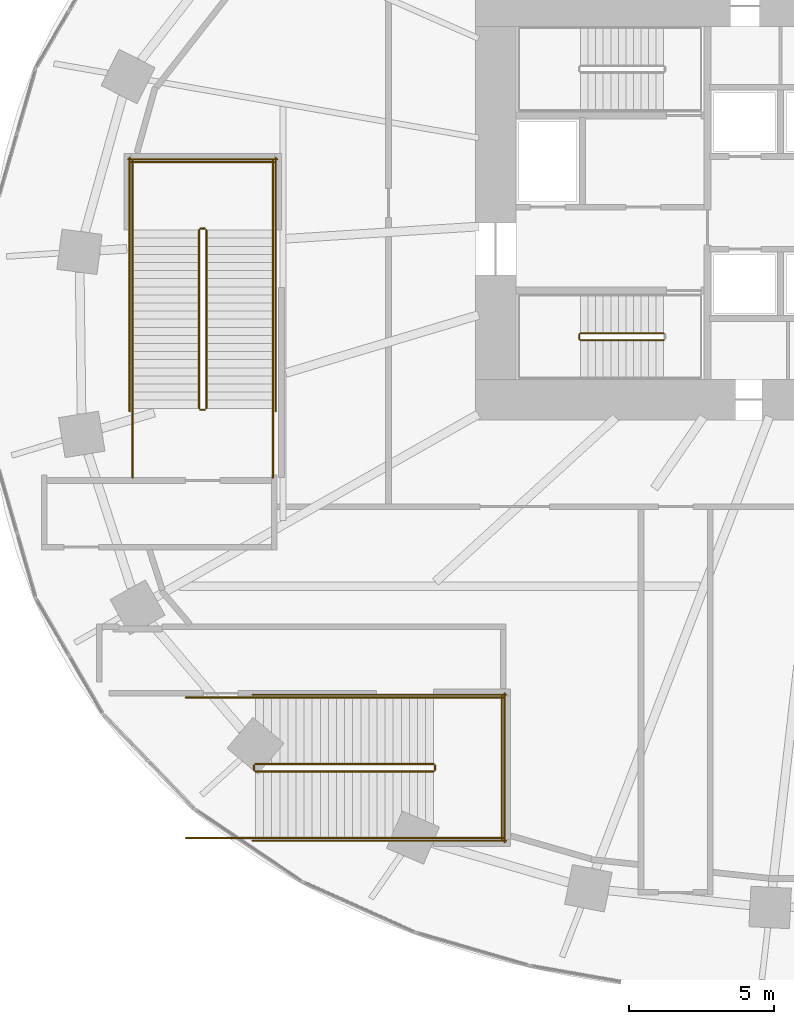
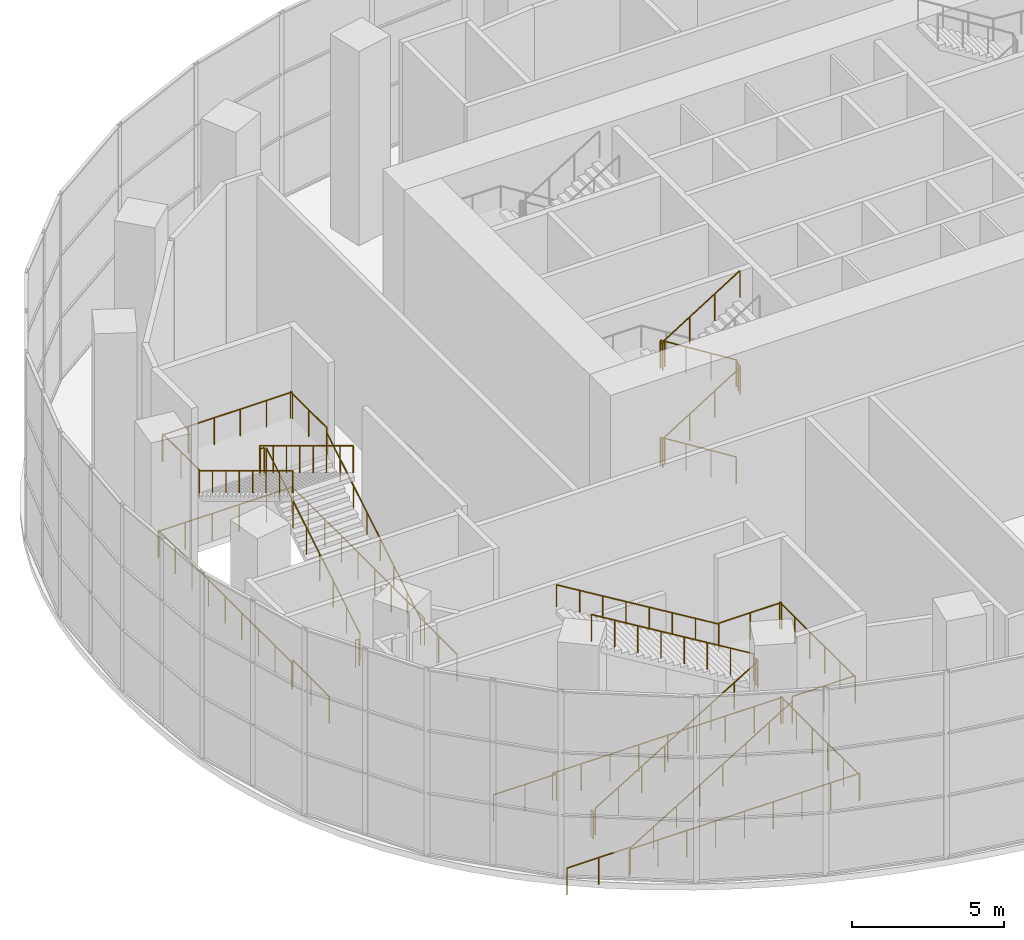
# One storey, part 18 of 22: 29 railings.
"""IFC4 building model written with IfcOpenShell, lengths in metres."""

from ifc_helpers import new_model, si_unit, direction, frame, origin, origin_2d, place, context, subcontext, project, spatial, circle, extrude, material, type_object, element, save


model = new_model("IFC4")

# Units and contexts
model_context = context("Model", 3, precision=1e-05, world=origin(), true_north=direction((0.0, 1.0)))
body_context = subcontext(model_context, "Body", "Model", "MODEL_VIEW")
ifc_project = project(units=[si_unit("LENGTHUNIT", "METRE"), si_unit("AREAUNIT", "SQUARE_METRE"), si_unit("VOLUMEUNIT", "CUBIC_METRE"), si_unit("PLANEANGLEUNIT", "RADIAN"), si_unit("MASSUNIT", "GRAM", prefix="KILO")], contexts=[model_context])

# Site, building, storey
site_placement = place(None, origin())
site = spatial("IfcSite", under=ifc_project, at=site_placement, CompositionType="ELEMENT")
building_placement = place(site_placement, origin())
building = spatial("IfcBuilding", under=site, at=building_placement, Name="Rubra Terraces Tower", CompositionType="ELEMENT")
storey_placement = place(building_placement, frame((0.0, 0.0, 15.0)))
storey = spatial("IfcBuildingStorey", under=building, at=storey_placement, Name="L02", CompositionType="ELEMENT", Elevation=15.0)

# Railings
ifc_material = material(Name="Stainless steel", Category="steel")
railing_type_1 = type_object("IfcRailingType", Name="Core stair guard 1100", PredefinedType="GUARDRAIL", material=ifc_material)
railing_1_placement = place(storey_placement, frame((-6.5, 0.0, 0.16259765625)))
element("IfcRailing", 1, at=railing_1_placement, inside=storey, type_object=railing_type_1, Name="L02 stair S1 guard 1", PredefinedType="GUARDRAIL", context=body_context, shape_type="SweptSolid", body=[
    extrude(circle(Radius=0.02392578125, at=origin_2d()), frame((0.0, 0.0, 1.076171875), z_axis=(-0.848026770018, 0.0, 0.529953391661), x_axis=(0.0, -1.0, 0.0)), (0.0, 0.0, 1.0), 3.37255859375),
    extrude(circle(Radius=0.02392578125, at=origin_2d()), frame((-2.860107421875, 0.0, 2.86328125), z_axis=(-0.705375805398, -0.708833529934, 0.0), x_axis=(0.708833529934, -0.705375805398, 0.0)), (0.0, 0.0, 1.0), 0.070556640625),
    extrude(circle(Radius=0.02392578125, at=origin_2d()), frame((-2.909912109375, -0.050048828125, 2.86328125), z_axis=(0.0, -1.0, 0.0), x_axis=(1.0, 0.0, 0.0)), (0.0, 0.0, 1.0), 0.14990234375),
    extrude(circle(Radius=0.02392578125, at=origin_2d()), frame((-2.909912109375, -0.199951171875, 2.86328125), z_axis=(0.280959487676, -0.282336740067, 0.917250092119), x_axis=(0.708833529934, 0.705375805398, 0.0)), (0.0, 0.0, 1.0), 0.17724609375),
    extrude(circle(Radius=0.02392578125, at=origin_2d()), frame((-2.860107421875, -0.25, 3.02587890625), z_axis=(0.848026770018, 0.0, 0.529953391661), x_axis=(0.0, 1.0, 0.0)), (0.0, 0.0, 1.0), 3.37255859375),
    extrude(circle(Radius=0.02392578125, at=origin_2d()), frame((0.0, -0.25, 4.8134765625), z_axis=(0.707106781187, 0.707106781187, 0.0), x_axis=(-0.707106781187, 0.707106781187, 0.0)), (0.0, 0.0, 1.0), 0.07080078125),
    extrude(circle(Radius=0.02392578125, at=origin_2d()), frame((0.050048828125, -0.199951171875, 4.8134765625), z_axis=(0.0, 1.0, 0.0), x_axis=(-1.0, 0.0, 0.0)), (0.0, 0.0, 1.0), 0.14990234375),
    extrude(circle(Radius=0.02392578125, at=origin_2d()), frame((0.050048828125, -0.050048828125, 4.8134765625), z_axis=(-0.282227285176, 0.282227285176, 0.916894497205), x_axis=(-0.707106781187, -0.707106781187, 0.0)), (0.0, 0.0, 1.0), 0.17724609375),
    extrude(circle(Radius=0.02392578125, at=origin_2d()), frame((0.0, 0.0, 4.97607421875), z_axis=(-0.847994237388, 0.0, 0.530005446535), x_axis=(0.0, -1.0, 0.0)), (0.0, 0.0, 1.0), 3.372802734375),
    extrude(circle(Radius=0.02392578125, at=origin_2d()), frame((-2.860107421875, 0.0, 6.763671875), z_axis=(-0.705375805398, -0.708833529934, 0.0), x_axis=(0.708833529934, -0.705375805398, 0.0)), (0.0, 0.0, 1.0), 0.070556640625),
    extrude(circle(Radius=0.02392578125, at=origin_2d()), frame((-2.909912109375, -0.050048828125, 6.763671875), z_axis=(0.0, -1.0, 0.0), x_axis=(1.0, 0.0, 0.0)), (0.0, 0.0, 1.0), 0.14990234375),
    extrude(circle(Radius=0.02392578125, at=origin_2d()), frame((-2.909912109375, -0.199951171875, 6.763671875), z_axis=(0.281314826061, -0.282693820306, 0.917031173188), x_axis=(0.708833529934, 0.705375805398, 0.0)), (0.0, 0.0, 1.0), 0.177001953125),
    extrude(circle(Radius=0.02392578125, at=origin_2d()), frame((-2.860107421875, -0.25, 6.92578125), z_axis=(0.847994237388, 0.0, 0.530005446535), x_axis=(0.0, 1.0, 0.0)), (0.0, 0.0, 1.0), 3.372802734375),
    extrude(circle(Radius=0.02099609375, at=origin_2d()), origin(), (0.0, 0.0, 1.0), 1.052001953125),
    extrude(circle(Radius=0.02099609375, at=origin_2d()), frame((-0.953369140625, 0.0, 0.595703125)), (0.0, 0.0, 1.0), 1.052001953125),
    extrude(circle(Radius=0.02099609375, at=origin_2d()), frame((-1.90673828125, 0.0, 1.191650390625)), (0.0, 0.0, 1.0), 1.052001953125),
    extrude(circle(Radius=0.02099609375, at=origin_2d()), frame((-2.860107421875, 0.0, 1.787353515625)), (0.0, 0.0, 1.0), 1.052001953125),
    extrude(circle(Radius=0.02099609375, at=origin_2d()), frame((-2.909912109375, -0.050048828125, 1.787353515625)), (0.0, 0.0, 1.0), 1.052001953125),
    extrude(circle(Radius=0.02099609375, at=origin_2d()), frame((-2.909912109375, -0.199951171875, 1.787353515625)), (0.0, 0.0, 1.0), 1.052001953125),
    extrude(circle(Radius=0.02099609375, at=origin_2d()), frame((-2.860107421875, -0.25, 1.949951171875)), (0.0, 0.0, 1.0), 1.052001953125),
    extrude(circle(Radius=0.02099609375, at=origin_2d()), frame((-1.90673828125, -0.25, 2.545654296875)), (0.0, 0.0, 1.0), 1.052001953125),
    extrude(circle(Radius=0.02099609375, at=origin_2d()), frame((-0.953369140625, -0.25, 3.1416015625)), (0.0, 0.0, 1.0), 1.052001953125),
    extrude(circle(Radius=0.02099609375, at=origin_2d()), frame((0.0, -0.25, 3.7373046875)), (0.0, 0.0, 1.0), 1.052001953125),
    extrude(circle(Radius=0.02099609375, at=origin_2d()), frame((0.050048828125, -0.199951171875, 3.7373046875)), (0.0, 0.0, 1.0), 1.052001953125),
    extrude(circle(Radius=0.02099609375, at=origin_2d()), frame((0.050048828125, -0.050048828125, 3.7373046875)), (0.0, 0.0, 1.0), 1.052001953125),
    extrude(circle(Radius=0.02099609375, at=origin_2d()), frame((0.0, 0.0, 3.89990234375)), (0.0, 0.0, 1.0), 1.052001953125),
    extrude(circle(Radius=0.02099609375, at=origin_2d()), frame((-0.953369140625, 0.0, 4.495849609375)), (0.0, 0.0, 1.0), 1.052001953125),
    extrude(circle(Radius=0.02099609375, at=origin_2d()), frame((-1.90673828125, 0.0, 5.091552734375)), (0.0, 0.0, 1.0), 1.052001953125),
    extrude(circle(Radius=0.02099609375, at=origin_2d()), frame((-2.860107421875, 0.0, 5.6875)), (0.0, 0.0, 1.0), 1.052001953125),
    extrude(circle(Radius=0.02099609375, at=origin_2d()), frame((-2.909912109375, -0.050048828125, 5.6875)), (0.0, 0.0, 1.0), 1.052001953125),
    extrude(circle(Radius=0.02099609375, at=origin_2d()), frame((-2.909912109375, -0.199951171875, 5.6875)), (0.0, 0.0, 1.0), 1.052001953125),
    extrude(circle(Radius=0.02099609375, at=origin_2d()), frame((-2.860107421875, -0.25, 5.849853515625)), (0.0, 0.0, 1.0), 1.052001953125),
    extrude(circle(Radius=0.02099609375, at=origin_2d()), frame((-1.90673828125, -0.25, 6.44580078125)), (0.0, 0.0, 1.0), 1.052001953125),
    extrude(circle(Radius=0.02099609375, at=origin_2d()), frame((-0.953369140625, -0.25, 7.04150390625)), (0.0, 0.0, 1.0), 1.052001953125),
    extrude(circle(Radius=0.02099609375, at=origin_2d()), frame((0.0, -0.25, 7.637451171875)), (0.0, 0.0, 1.0), 1.052001953125),
])
railing_type_2 = type_object("IfcRailingType", Name="Public stair guard 1100", PredefinedType="GUARDRAIL", material=ifc_material)
railing_2_placement = place(storey_placement, frame((-22.300048828125, -2.60009765625, 0.169677734375)))
element("IfcRailing", 2, at=railing_2_placement, inside=storey, type_object=railing_type_2, Name="L02 PS1 stair guard 1", PredefinedType="GUARDRAIL", context=body_context, shape_type="SweptSolid", body=[
    extrude(circle(Radius=0.02392578125, at=origin_2d()), frame((0.0, 0.0, 1.076171875), z_axis=(0.0, 0.855394938475, 0.51797635007), x_axis=(-1.0, 0.0, 0.0)), (0.0, 0.0, 1.0), 7.201416015625),
    extrude(circle(Radius=0.02099609375, at=origin_2d()), origin(), (0.0, 0.0, 1.0), 1.052001953125),
    extrude(circle(Radius=0.02099609375, at=origin_2d()), frame((0.0, 0.880126953125, 0.532958984375)), (0.0, 0.0, 1.0), 1.052001953125),
    extrude(circle(Radius=0.02099609375, at=origin_2d()), frame((0.0, 1.760009765625, 1.065673828125)), (0.0, 0.0, 1.0), 1.052001953125),
    extrude(circle(Radius=0.02099609375, at=origin_2d()), frame((0.0, 2.64013671875, 1.5986328125)), (0.0, 0.0, 1.0), 1.052001953125),
    extrude(circle(Radius=0.02099609375, at=origin_2d()), frame((0.0, 3.52001953125, 2.131591796875)), (0.0, 0.0, 1.0), 1.052001953125),
    extrude(circle(Radius=0.02099609375, at=origin_2d()), frame((0.0, 4.400146484375, 2.66455078125)), (0.0, 0.0, 1.0), 1.052001953125),
    extrude(circle(Radius=0.02099609375, at=origin_2d()), frame((0.0, 5.280029296875, 3.197265625)), (0.0, 0.0, 1.0), 1.052001953125),
    extrude(circle(Radius=0.02099609375, at=origin_2d()), frame((0.0, 6.16015625, 3.730224609375)), (0.0, 0.0, 1.0), 1.052001953125),
])
railing_3_placement = place(storey_placement, frame((-22.35009765625, 3.610107421875, 3.89990234375)))
element("IfcRailing", 3, at=railing_3_placement, inside=storey, type_object=railing_type_2, Name="L02 PS1 stair guard 2", PredefinedType="GUARDRAIL", context=body_context, shape_type="SweptSolid", body=[
    extrude(circle(Radius=0.02392578125, at=origin_2d()), frame((0.0, 0.0, 1.076171875), z_axis=(-1.0, 0.0, 0.0), x_axis=(0.0, -1.0, 0.0)), (0.0, 0.0, 1.0), 0.14990234375),
    extrude(circle(Radius=0.02099609375, at=origin_2d()), origin(), (0.0, 0.0, 1.0), 1.052001953125),
    extrude(circle(Radius=0.02099609375, at=origin_2d()), frame((-0.14990234375, 0.0, 0.0)), (0.0, 0.0, 1.0), 1.052001953125),
])
for number, where, name in (
    (4, (-20.0, 3.56005859375, 3.89990234375), "L02 PS1 stair guard 3"),
    (5, (-24.85009765625, 3.56005859375, 3.89990234375), "L02 PS1 stair guard 4"),
):
    element("IfcRailing", number, at=place(storey_placement, frame(where)), inside=storey, type_object=railing_type_2, Name=name, PredefinedType="GUARDRAIL", context=body_context, shape_type="SweptSolid", body=[
        extrude(circle(Radius=0.02392578125, at=origin_2d()), frame((0.0, 0.0, 1.076171875), z_axis=(0.0, 1.0, 0.0), x_axis=(-1.0, 0.0, 0.0)), (0.0, 0.0, 1.0), 2.39990234375),
        extrude(circle(Radius=0.02099609375, at=origin_2d()), origin(), (0.0, 0.0, 1.0), 1.052001953125),
        extrude(circle(Radius=0.02099609375, at=origin_2d()), frame((0.0, 1.199951171875, 0.0)), (0.0, 0.0, 1.0), 1.052001953125),
        extrude(circle(Radius=0.02099609375, at=origin_2d()), frame((0.0, 2.39990234375, 0.0)), (0.0, 0.0, 1.0), 1.052001953125),
    ])
railing_4_placement = place(storey_placement, frame((-19.949951171875, 5.909912109375, 3.89990234375)))
element("IfcRailing", 6, at=railing_4_placement, inside=storey, type_object=railing_type_2, Name="L02 PS1 stair guard 5", PredefinedType="GUARDRAIL", context=body_context, shape_type="SweptSolid", body=[
    extrude(circle(Radius=0.02392578125, at=origin_2d()), frame((0.0, 0.0, 1.076171875), z_axis=(-1.0, 0.0, 0.0), x_axis=(0.0, -1.0, 0.0)), (0.0, 0.0, 1.0), 4.949951171875),
    extrude(circle(Radius=0.02099609375, at=origin_2d()), origin(), (0.0, 0.0, 1.0), 1.052001953125),
    extrude(circle(Radius=0.02099609375, at=origin_2d()), frame((-0.989990234375, 0.0, 0.0)), (0.0, 0.0, 1.0), 1.052001953125),
    extrude(circle(Radius=0.02099609375, at=origin_2d()), frame((-1.97998046875, 0.0, 0.0)), (0.0, 0.0, 1.0), 1.052001953125),
    extrude(circle(Radius=0.02099609375, at=origin_2d()), frame((-2.969970703125, 0.0, 0.0)), (0.0, 0.0, 1.0), 1.052001953125),
    extrude(circle(Radius=0.02099609375, at=origin_2d()), frame((-3.9599609375, 0.0, 0.0)), (0.0, 0.0, 1.0), 1.052001953125),
    extrude(circle(Radius=0.02099609375, at=origin_2d()), frame((-4.949951171875, 0.0, 0.0)), (0.0, 0.0, 1.0), 1.052001953125),
])
railing_5_placement = place(storey_placement, frame((-22.550048828125, 3.56005859375, 4.069580078125)))
element("IfcRailing", 7, at=railing_5_placement, inside=storey, type_object=railing_type_2, Name="L02 PS1 stair guard 6", PredefinedType="GUARDRAIL", context=body_context, shape_type="SweptSolid", body=[
    extrude(circle(Radius=0.02392578125, at=origin_2d()), frame((0.0, 0.0, 1.076171875), z_axis=(0.0, -0.855379917629, 0.518001154937), x_axis=(1.0, 0.0, 0.0)), (0.0, 0.0, 1.0), 7.20166015625),
    extrude(circle(Radius=0.02099609375, at=origin_2d()), origin(), (0.0, 0.0, 1.0), 1.052001953125),
    extrude(circle(Radius=0.02099609375, at=origin_2d()), frame((0.0, -0.880126953125, 0.532958984375)), (0.0, 0.0, 1.0), 1.052001953125),
    extrude(circle(Radius=0.02099609375, at=origin_2d()), frame((0.0, -1.760009765625, 1.06591796875)), (0.0, 0.0, 1.0), 1.052001953125),
    extrude(circle(Radius=0.02099609375, at=origin_2d()), frame((0.0, -2.64013671875, 1.598876953125)), (0.0, 0.0, 1.0), 1.052001953125),
    extrude(circle(Radius=0.02099609375, at=origin_2d()), frame((0.0, -3.52001953125, 2.131591796875)), (0.0, 0.0, 1.0), 1.052001953125),
    extrude(circle(Radius=0.02099609375, at=origin_2d()), frame((0.0, -4.400146484375, 2.66455078125)), (0.0, 0.0, 1.0), 1.052001953125),
    extrude(circle(Radius=0.02099609375, at=origin_2d()), frame((0.0, -5.280029296875, 3.197509765625)), (0.0, 0.0, 1.0), 1.052001953125),
    extrude(circle(Radius=0.02099609375, at=origin_2d()), frame((0.0, -6.16015625, 3.73046875)), (0.0, 0.0, 1.0), 1.052001953125),
])
railing_6_placement = place(storey_placement, frame((-22.35009765625, -2.64990234375, 0.0)))
element("IfcRailing", 8, at=railing_6_placement, inside=storey, type_object=railing_type_2, Name="L02 PS1 stair guard 7", PredefinedType="GUARDRAIL", context=body_context, shape_type="SweptSolid", body=[
    extrude(circle(Radius=0.02392578125, at=origin_2d()), frame((0.0, 0.0, 1.076171875), z_axis=(-1.0, 0.0, 0.0), x_axis=(0.0, -1.0, 0.0)), (0.0, 0.0, 1.0), 0.14990234375),
    extrude(circle(Radius=0.02099609375, at=origin_2d()), origin(), (0.0, 0.0, 1.0), 1.052001953125),
    extrude(circle(Radius=0.02099609375, at=origin_2d()), frame((-0.14990234375, 0.0, 0.0)), (0.0, 0.0, 1.0), 1.052001953125),
])
for number, where, name in (
    (9, (-20.0, -5.0, 0.0), "L02 PS1 stair guard 8"),
    (10, (-24.85009765625, -5.0, 0.0), "L02 PS1 stair guard 9"),
):
    element("IfcRailing", number, at=place(storey_placement, frame(where)), inside=storey, type_object=railing_type_2, Name=name, PredefinedType="GUARDRAIL", context=body_context, shape_type="SweptSolid", body=[
        extrude(circle(Radius=0.02392578125, at=origin_2d()), frame((0.0, 0.0, 1.076171875), z_axis=(0.0, 1.0, 0.0), x_axis=(-1.0, 0.0, 0.0)), (0.0, 0.0, 1.0), 2.39990234375),
        extrude(circle(Radius=0.02099609375, at=origin_2d()), origin(), (0.0, 0.0, 1.0), 1.052001953125),
        extrude(circle(Radius=0.02099609375, at=origin_2d()), frame((0.0, 1.199951171875, 0.0)), (0.0, 0.0, 1.0), 1.052001953125),
        extrude(circle(Radius=0.02099609375, at=origin_2d()), frame((0.0, 2.39990234375, 0.0)), (0.0, 0.0, 1.0), 1.052001953125),
    ])
for number, where, name in (
    (11, (-19.89990234375, -2.699951171875, 0.0), "L02 PS1 stair guard 10"),
    (12, (-24.949951171875, -2.699951171875, 0.0), "L02 PS1 stair guard 11"),
):
    element("IfcRailing", number, at=place(storey_placement, frame(where)), inside=storey, type_object=railing_type_2, Name=name, PredefinedType="GUARDRAIL", context=body_context, shape_type="SweptSolid", body=[
        extrude(circle(Radius=0.02392578125, at=origin_2d()), frame((0.0, 0.0, 1.076171875), z_axis=(0.0, 1.0, 0.0), x_axis=(-1.0, 0.0, 0.0)), (0.0, 0.0, 1.0), 8.760009765625),
        extrude(circle(Radius=0.02099609375, at=origin_2d()), origin(), (0.0, 0.0, 1.0), 1.052001953125),
        extrude(circle(Radius=0.02099609375, at=origin_2d()), frame((0.0, 1.094970703125, 0.0)), (0.0, 0.0, 1.0), 1.052001953125),
        extrude(circle(Radius=0.02099609375, at=origin_2d()), frame((0.0, 2.18994140625, 0.0)), (0.0, 0.0, 1.0), 1.052001953125),
        extrude(circle(Radius=0.02099609375, at=origin_2d()), frame((0.0, 3.284912109375, 0.0)), (0.0, 0.0, 1.0), 1.052001953125),
        extrude(circle(Radius=0.02099609375, at=origin_2d()), frame((0.0, 4.3798828125, 0.0)), (0.0, 0.0, 1.0), 1.052001953125),
        extrude(circle(Radius=0.02099609375, at=origin_2d()), frame((0.0, 5.47509765625, 0.0)), (0.0, 0.0, 1.0), 1.052001953125),
        extrude(circle(Radius=0.02099609375, at=origin_2d()), frame((0.0, 6.570068359375, 0.0)), (0.0, 0.0, 1.0), 1.052001953125),
        extrude(circle(Radius=0.02099609375, at=origin_2d()), frame((0.0, 7.6650390625, 0.0)), (0.0, 0.0, 1.0), 1.052001953125),
        extrude(circle(Radius=0.02099609375, at=origin_2d()), frame((0.0, 8.760009765625, 0.0)), (0.0, 0.0, 1.0), 1.052001953125),
    ])
railing_7_placement = place(storey_placement, frame((-19.85009765625, 6.010009765625, 0.0)))
element("IfcRailing", 13, at=railing_7_placement, inside=storey, type_object=railing_type_2, Name="L02 PS1 stair guard 12", PredefinedType="GUARDRAIL", context=body_context, shape_type="SweptSolid", body=[
    extrude(circle(Radius=0.02392578125, at=origin_2d()), frame((0.0, 0.0, 1.076171875), z_axis=(-1.0, 0.0, 0.0), x_axis=(0.0, -1.0, 0.0)), (0.0, 0.0, 1.0), 5.14990234375),
    extrude(circle(Radius=0.02099609375, at=origin_2d()), origin(), (0.0, 0.0, 1.0), 1.052001953125),
    extrude(circle(Radius=0.02099609375, at=origin_2d()), frame((-1.030029296875, 0.0, 0.0)), (0.0, 0.0, 1.0), 1.052001953125),
    extrude(circle(Radius=0.02099609375, at=origin_2d()), frame((-2.06005859375, 0.0, 0.0)), (0.0, 0.0, 1.0), 1.052001953125),
    extrude(circle(Radius=0.02099609375, at=origin_2d()), frame((-3.08984375, 0.0, 0.0)), (0.0, 0.0, 1.0), 1.052001953125),
    extrude(circle(Radius=0.02099609375, at=origin_2d()), frame((-4.119873046875, 0.0, 0.0)), (0.0, 0.0, 1.0), 1.052001953125),
    extrude(circle(Radius=0.02099609375, at=origin_2d()), frame((-5.14990234375, 0.0, 0.0)), (0.0, 0.0, 1.0), 1.052001953125),
])
railing_8_placement = place(storey_placement, frame((-20.60009765625, -15.14990234375, 0.169677734375)))
element("IfcRailing", 14, at=railing_8_placement, inside=storey, type_object=railing_type_2, Name="L02 PS3 stair guard 1", PredefinedType="GUARDRAIL", context=body_context, shape_type="SweptSolid", body=[
    extrude(circle(Radius=0.02392578125, at=origin_2d()), frame((0.0, 0.0, 1.076171875), z_axis=(0.855394938475, 0.0, 0.51797635007), x_axis=(0.0, 1.0, 0.0)), (0.0, 0.0, 1.0), 7.201416015625),
    extrude(circle(Radius=0.02099609375, at=origin_2d()), origin(), (0.0, 0.0, 1.0), 1.052001953125),
    extrude(circle(Radius=0.02099609375, at=origin_2d()), frame((0.880126953125, 0.0, 0.532958984375)), (0.0, 0.0, 1.0), 1.052001953125),
    extrude(circle(Radius=0.02099609375, at=origin_2d()), frame((1.760009765625, 0.0, 1.065673828125)), (0.0, 0.0, 1.0), 1.052001953125),
    extrude(circle(Radius=0.02099609375, at=origin_2d()), frame((2.64013671875, 0.0, 1.5986328125)), (0.0, 0.0, 1.0), 1.052001953125),
    extrude(circle(Radius=0.02099609375, at=origin_2d()), frame((3.52001953125, 0.0, 2.131591796875)), (0.0, 0.0, 1.0), 1.052001953125),
    extrude(circle(Radius=0.02099609375, at=origin_2d()), frame((4.400146484375, 0.0, 2.66455078125)), (0.0, 0.0, 1.0), 1.052001953125),
    extrude(circle(Radius=0.02099609375, at=origin_2d()), frame((5.280029296875, 0.0, 3.197265625)), (0.0, 0.0, 1.0), 1.052001953125),
    extrude(circle(Radius=0.02099609375, at=origin_2d()), frame((6.16015625, 0.0, 3.730224609375)), (0.0, 0.0, 1.0), 1.052001953125),
])
railing_9_placement = place(storey_placement, frame((-14.389892578125, -15.10009765625, 3.89990234375)))
element("IfcRailing", 15, at=railing_9_placement, inside=storey, type_object=railing_type_2, Name="L02 PS3 stair guard 2", PredefinedType="GUARDRAIL", context=body_context, shape_type="SweptSolid", body=[
    extrude(circle(Radius=0.02392578125, at=origin_2d()), frame((0.0, 0.0, 1.076171875), z_axis=(0.0, 1.0, 0.0), x_axis=(-1.0, 0.0, 0.0)), (0.0, 0.0, 1.0), 0.150146484375),
    extrude(circle(Radius=0.02099609375, at=origin_2d()), origin(), (0.0, 0.0, 1.0), 1.052001953125),
    extrude(circle(Radius=0.02099609375, at=origin_2d()), frame((0.0, 0.150146484375, 0.0)), (0.0, 0.0, 1.0), 1.052001953125),
])
for number, where, name in (
    (16, (-14.43994140625, -17.449951171875, 3.89990234375), "L02 PS3 stair guard 3"),
    (17, (-14.43994140625, -12.60009765625, 3.89990234375), "L02 PS3 stair guard 4"),
):
    element("IfcRailing", number, at=place(storey_placement, frame(where)), inside=storey, type_object=railing_type_2, Name=name, PredefinedType="GUARDRAIL", context=body_context, shape_type="SweptSolid", body=[
        extrude(circle(Radius=0.02392578125, at=origin_2d()), frame((0.0, 0.0, 1.076171875), z_axis=(1.0, 0.0, 0.0), x_axis=(0.0, 1.0, 0.0)), (0.0, 0.0, 1.0), 2.39990234375),
        extrude(circle(Radius=0.02099609375, at=origin_2d()), origin(), (0.0, 0.0, 1.0), 1.052001953125),
        extrude(circle(Radius=0.02099609375, at=origin_2d()), frame((1.199951171875, 0.0, 0.0)), (0.0, 0.0, 1.0), 1.052001953125),
        extrude(circle(Radius=0.02099609375, at=origin_2d()), frame((2.39990234375, 0.0, 0.0)), (0.0, 0.0, 1.0), 1.052001953125),
    ])
railing_10_placement = place(storey_placement, frame((-12.090087890625, -17.5, 3.89990234375)))
element("IfcRailing", 18, at=railing_10_placement, inside=storey, type_object=railing_type_2, Name="L02 PS3 stair guard 5", PredefinedType="GUARDRAIL", context=body_context, shape_type="SweptSolid", body=[
    extrude(circle(Radius=0.02392578125, at=origin_2d()), frame((0.0, 0.0, 1.076171875), z_axis=(0.0, 1.0, 0.0), x_axis=(-1.0, 0.0, 0.0)), (0.0, 0.0, 1.0), 4.949951171875),
    extrude(circle(Radius=0.02099609375, at=origin_2d()), origin(), (0.0, 0.0, 1.0), 1.052001953125),
    extrude(circle(Radius=0.02099609375, at=origin_2d()), frame((0.0, 0.989990234375, 0.0)), (0.0, 0.0, 1.0), 1.052001953125),
    extrude(circle(Radius=0.02099609375, at=origin_2d()), frame((0.0, 1.97998046875, 0.0)), (0.0, 0.0, 1.0), 1.052001953125),
    extrude(circle(Radius=0.02099609375, at=origin_2d()), frame((0.0, 2.969970703125, 0.0)), (0.0, 0.0, 1.0), 1.052001953125),
    extrude(circle(Radius=0.02099609375, at=origin_2d()), frame((0.0, 3.9599609375, 0.0)), (0.0, 0.0, 1.0), 1.052001953125),
    extrude(circle(Radius=0.02099609375, at=origin_2d()), frame((0.0, 4.949951171875, 0.0)), (0.0, 0.0, 1.0), 1.052001953125),
])
railing_11_placement = place(storey_placement, frame((-14.43994140625, -14.89990234375, 4.069580078125)))
element("IfcRailing", 19, at=railing_11_placement, inside=storey, type_object=railing_type_2, Name="L02 PS3 stair guard 6", PredefinedType="GUARDRAIL", context=body_context, shape_type="SweptSolid", body=[
    extrude(circle(Radius=0.02392578125, at=origin_2d()), frame((0.0, 0.0, 1.076171875), z_axis=(-0.855379917629, 0.0, 0.518001154937), x_axis=(0.0, -1.0, 0.0)), (0.0, 0.0, 1.0), 7.20166015625),
    extrude(circle(Radius=0.02099609375, at=origin_2d()), origin(), (0.0, 0.0, 1.0), 1.052001953125),
    extrude(circle(Radius=0.02099609375, at=origin_2d()), frame((-0.880126953125, 0.0, 0.532958984375)), (0.0, 0.0, 1.0), 1.052001953125),
    extrude(circle(Radius=0.02099609375, at=origin_2d()), frame((-1.760009765625, 0.0, 1.06591796875)), (0.0, 0.0, 1.0), 1.052001953125),
    extrude(circle(Radius=0.02099609375, at=origin_2d()), frame((-2.64013671875, 0.0, 1.598876953125)), (0.0, 0.0, 1.0), 1.052001953125),
    extrude(circle(Radius=0.02099609375, at=origin_2d()), frame((-3.52001953125, 0.0, 2.131591796875)), (0.0, 0.0, 1.0), 1.052001953125),
    extrude(circle(Radius=0.02099609375, at=origin_2d()), frame((-4.400146484375, 0.0, 2.66455078125)), (0.0, 0.0, 1.0), 1.052001953125),
    extrude(circle(Radius=0.02099609375, at=origin_2d()), frame((-5.280029296875, 0.0, 3.197509765625)), (0.0, 0.0, 1.0), 1.052001953125),
    extrude(circle(Radius=0.02099609375, at=origin_2d()), frame((-6.16015625, 0.0, 3.73046875)), (0.0, 0.0, 1.0), 1.052001953125),
])
railing_12_placement = place(storey_placement, frame((-20.64990234375, -15.10009765625, 0.0)))
element("IfcRailing", 20, at=railing_12_placement, inside=storey, type_object=railing_type_2, Name="L02 PS3 stair guard 7", PredefinedType="GUARDRAIL", context=body_context, shape_type="SweptSolid", body=[
    extrude(circle(Radius=0.02392578125, at=origin_2d()), frame((0.0, 0.0, 1.076171875), z_axis=(0.0, 1.0, 0.0), x_axis=(-1.0, 0.0, 0.0)), (0.0, 0.0, 1.0), 0.150146484375),
    extrude(circle(Radius=0.02099609375, at=origin_2d()), origin(), (0.0, 0.0, 1.0), 1.052001953125),
    extrude(circle(Radius=0.02099609375, at=origin_2d()), frame((0.0, 0.150146484375, 0.0)), (0.0, 0.0, 1.0), 1.052001953125),
])
for number, where, name in (
    (21, (-23.0, -17.449951171875, 0.0), "L02 PS3 stair guard 8"),
    (22, (-23.0, -12.60009765625, 0.0), "L02 PS3 stair guard 9"),
):
    element("IfcRailing", number, at=place(storey_placement, frame(where)), inside=storey, type_object=railing_type_2, Name=name, PredefinedType="GUARDRAIL", context=body_context, shape_type="SweptSolid", body=[
        extrude(circle(Radius=0.02392578125, at=origin_2d()), frame((0.0, 0.0, 1.076171875), z_axis=(1.0, 0.0, 0.0), x_axis=(0.0, 1.0, 0.0)), (0.0, 0.0, 1.0), 2.39990234375),
        extrude(circle(Radius=0.02099609375, at=origin_2d()), origin(), (0.0, 0.0, 1.0), 1.052001953125),
        extrude(circle(Radius=0.02099609375, at=origin_2d()), frame((1.199951171875, 0.0, 0.0)), (0.0, 0.0, 1.0), 1.052001953125),
        extrude(circle(Radius=0.02099609375, at=origin_2d()), frame((2.39990234375, 0.0, 0.0)), (0.0, 0.0, 1.0), 1.052001953125),
    ])
for number, where, name in (
    (23, (-20.699951171875, -17.550048828125, 0.0), "L02 PS3 stair guard 10"),
    (24, (-20.699951171875, -12.5, 0.0), "L02 PS3 stair guard 11"),
):
    element("IfcRailing", number, at=place(storey_placement, frame(where)), inside=storey, type_object=railing_type_2, Name=name, PredefinedType="GUARDRAIL", context=body_context, shape_type="SweptSolid", body=[
        extrude(circle(Radius=0.02392578125, at=origin_2d()), frame((0.0, 0.0, 1.076171875), z_axis=(1.0, 0.0, 0.0), x_axis=(0.0, 1.0, 0.0)), (0.0, 0.0, 1.0), 8.760009765625),
        extrude(circle(Radius=0.02099609375, at=origin_2d()), origin(), (0.0, 0.0, 1.0), 1.052001953125),
        extrude(circle(Radius=0.02099609375, at=origin_2d()), frame((1.094970703125, 0.0, 0.0)), (0.0, 0.0, 1.0), 1.052001953125),
        extrude(circle(Radius=0.02099609375, at=origin_2d()), frame((2.18994140625, 0.0, 0.0)), (0.0, 0.0, 1.0), 1.052001953125),
        extrude(circle(Radius=0.02099609375, at=origin_2d()), frame((3.284912109375, 0.0, 0.0)), (0.0, 0.0, 1.0), 1.052001953125),
        extrude(circle(Radius=0.02099609375, at=origin_2d()), frame((4.3798828125, 0.0, 0.0)), (0.0, 0.0, 1.0), 1.052001953125),
        extrude(circle(Radius=0.02099609375, at=origin_2d()), frame((5.47509765625, 0.0, 0.0)), (0.0, 0.0, 1.0), 1.052001953125),
        extrude(circle(Radius=0.02099609375, at=origin_2d()), frame((6.570068359375, 0.0, 0.0)), (0.0, 0.0, 1.0), 1.052001953125),
        extrude(circle(Radius=0.02099609375, at=origin_2d()), frame((7.6650390625, 0.0, 0.0)), (0.0, 0.0, 1.0), 1.052001953125),
        extrude(circle(Radius=0.02099609375, at=origin_2d()), frame((8.760009765625, 0.0, 0.0)), (0.0, 0.0, 1.0), 1.052001953125),
    ])
railing_13_placement = place(storey_placement, frame((-11.989990234375, -17.60009765625, 0.0)))
element("IfcRailing", 25, at=railing_13_placement, inside=storey, type_object=railing_type_2, Name="L02 PS3 stair guard 12", PredefinedType="GUARDRAIL", context=body_context, shape_type="SweptSolid", body=[
    extrude(circle(Radius=0.02392578125, at=origin_2d()), frame((0.0, 0.0, 1.076171875), z_axis=(0.0, 1.0, 0.0), x_axis=(-1.0, 0.0, 0.0)), (0.0, 0.0, 1.0), 5.150146484375),
    extrude(circle(Radius=0.02099609375, at=origin_2d()), origin(), (0.0, 0.0, 1.0), 1.052001953125),
    extrude(circle(Radius=0.02099609375, at=origin_2d()), frame((0.0, 1.030029296875, 0.0)), (0.0, 0.0, 1.0), 1.052001953125),
    extrude(circle(Radius=0.02099609375, at=origin_2d()), frame((0.0, 2.06005859375, 0.0)), (0.0, 0.0, 1.0), 1.052001953125),
    extrude(circle(Radius=0.02099609375, at=origin_2d()), frame((0.0, 3.090087890625, 0.0)), (0.0, 0.0, 1.0), 1.052001953125),
    extrude(circle(Radius=0.02099609375, at=origin_2d()), frame((0.0, 4.1201171875, 0.0)), (0.0, 0.0, 1.0), 1.052001953125),
    extrude(circle(Radius=0.02099609375, at=origin_2d()), frame((0.0, 5.150146484375, 0.0)), (0.0, 0.0, 1.0), 1.052001953125),
])
railing_type_3 = type_object("IfcRailingType", Name="Public stair handrail 900", PredefinedType="HANDRAIL", material=ifc_material)
railing_14_placement = place(storey_placement, frame((-20.0, -2.60009765625, 0.169677734375)))
element("IfcRailing", 26, at=railing_14_placement, inside=storey, type_object=railing_type_3, Name="L02 PS1 stair handrail 1", PredefinedType="HANDRAIL", context=body_context, shape_type="SweptSolid", body=[
    extrude(circle(Radius=0.02392578125, at=origin_2d()), frame((0.0, 0.0, 0.8759765625), z_axis=(0.0, 0.855394938475, 0.51797635007), x_axis=(-1.0, 0.0, 0.0)), (0.0, 0.0, 1.0), 7.201416015625),
    extrude(circle(Radius=0.02099609375, at=origin_2d()), origin(), (0.0, 0.0, 1.0), 0.851806640625),
    extrude(circle(Radius=0.02099609375, at=origin_2d()), frame((0.0, 0.880126953125, 0.532958984375)), (0.0, 0.0, 1.0), 0.851806640625),
    extrude(circle(Radius=0.02099609375, at=origin_2d()), frame((0.0, 1.760009765625, 1.065673828125)), (0.0, 0.0, 1.0), 0.851806640625),
    extrude(circle(Radius=0.02099609375, at=origin_2d()), frame((0.0, 2.64013671875, 1.5986328125)), (0.0, 0.0, 1.0), 0.851806640625),
    extrude(circle(Radius=0.02099609375, at=origin_2d()), frame((0.0, 3.52001953125, 2.131591796875)), (0.0, 0.0, 1.0), 0.851806640625),
    extrude(circle(Radius=0.02099609375, at=origin_2d()), frame((0.0, 4.400146484375, 2.66455078125)), (0.0, 0.0, 1.0), 0.851806640625),
    extrude(circle(Radius=0.02099609375, at=origin_2d()), frame((0.0, 5.280029296875, 3.197265625)), (0.0, 0.0, 1.0), 0.851806640625),
    extrude(circle(Radius=0.02099609375, at=origin_2d()), frame((0.0, 6.16015625, 3.730224609375)), (0.0, 0.0, 1.0), 0.851806640625),
])
railing_15_placement = place(storey_placement, frame((-24.85009765625, 3.56005859375, 4.069580078125)))
element("IfcRailing", 27, at=railing_15_placement, inside=storey, type_object=railing_type_3, Name="L02 PS1 stair handrail 2", PredefinedType="HANDRAIL", context=body_context, shape_type="SweptSolid", body=[
    extrude(circle(Radius=0.02392578125, at=origin_2d()), frame((0.0, 0.0, 0.8759765625), z_axis=(0.0, -0.855379917629, 0.518001154937), x_axis=(1.0, 0.0, 0.0)), (0.0, 0.0, 1.0), 7.20166015625),
    extrude(circle(Radius=0.02099609375, at=origin_2d()), origin(), (0.0, 0.0, 1.0), 0.851806640625),
    extrude(circle(Radius=0.02099609375, at=origin_2d()), frame((0.0, -0.880126953125, 0.532958984375)), (0.0, 0.0, 1.0), 0.851806640625),
    extrude(circle(Radius=0.02099609375, at=origin_2d()), frame((0.0, -1.760009765625, 1.06591796875)), (0.0, 0.0, 1.0), 0.851806640625),
    extrude(circle(Radius=0.02099609375, at=origin_2d()), frame((0.0, -2.64013671875, 1.598876953125)), (0.0, 0.0, 1.0), 0.851806640625),
    extrude(circle(Radius=0.02099609375, at=origin_2d()), frame((0.0, -3.52001953125, 2.131591796875)), (0.0, 0.0, 1.0), 0.851806640625),
    extrude(circle(Radius=0.02099609375, at=origin_2d()), frame((0.0, -4.400146484375, 2.66455078125)), (0.0, 0.0, 1.0), 0.851806640625),
    extrude(circle(Radius=0.02099609375, at=origin_2d()), frame((0.0, -5.280029296875, 3.197509765625)), (0.0, 0.0, 1.0), 0.851806640625),
    extrude(circle(Radius=0.02099609375, at=origin_2d()), frame((0.0, -6.16015625, 3.73046875)), (0.0, 0.0, 1.0), 0.851806640625),
])
railing_16_placement = place(storey_placement, frame((-20.60009765625, -17.449951171875, 0.169677734375)))
element("IfcRailing", 28, at=railing_16_placement, inside=storey, type_object=railing_type_3, Name="L02 PS3 stair handrail 1", PredefinedType="HANDRAIL", context=body_context, shape_type="SweptSolid", body=[
    extrude(circle(Radius=0.02392578125, at=origin_2d()), frame((0.0, 0.0, 0.8759765625), z_axis=(0.855394938475, 0.0, 0.51797635007), x_axis=(0.0, 1.0, 0.0)), (0.0, 0.0, 1.0), 7.201416015625),
    extrude(circle(Radius=0.02099609375, at=origin_2d()), origin(), (0.0, 0.0, 1.0), 0.851806640625),
    extrude(circle(Radius=0.02099609375, at=origin_2d()), frame((0.880126953125, 0.0, 0.532958984375)), (0.0, 0.0, 1.0), 0.851806640625),
    extrude(circle(Radius=0.02099609375, at=origin_2d()), frame((1.760009765625, 0.0, 1.065673828125)), (0.0, 0.0, 1.0), 0.851806640625),
    extrude(circle(Radius=0.02099609375, at=origin_2d()), frame((2.64013671875, 0.0, 1.5986328125)), (0.0, 0.0, 1.0), 0.851806640625),
    extrude(circle(Radius=0.02099609375, at=origin_2d()), frame((3.52001953125, 0.0, 2.131591796875)), (0.0, 0.0, 1.0), 0.851806640625),
    extrude(circle(Radius=0.02099609375, at=origin_2d()), frame((4.400146484375, 0.0, 2.66455078125)), (0.0, 0.0, 1.0), 0.851806640625),
    extrude(circle(Radius=0.02099609375, at=origin_2d()), frame((5.280029296875, 0.0, 3.197265625)), (0.0, 0.0, 1.0), 0.851806640625),
    extrude(circle(Radius=0.02099609375, at=origin_2d()), frame((6.16015625, 0.0, 3.730224609375)), (0.0, 0.0, 1.0), 0.851806640625),
])
railing_17_placement = place(storey_placement, frame((-14.43994140625, -12.60009765625, 4.069580078125)))
element("IfcRailing", 29, at=railing_17_placement, inside=storey, type_object=railing_type_3, Name="L02 PS3 stair handrail 2", PredefinedType="HANDRAIL", context=body_context, shape_type="SweptSolid", body=[
    extrude(circle(Radius=0.02392578125, at=origin_2d()), frame((0.0, 0.0, 0.8759765625), z_axis=(-0.855379917629, 0.0, 0.518001154937), x_axis=(0.0, -1.0, 0.0)), (0.0, 0.0, 1.0), 7.20166015625),
    extrude(circle(Radius=0.02099609375, at=origin_2d()), origin(), (0.0, 0.0, 1.0), 0.851806640625),
    extrude(circle(Radius=0.02099609375, at=origin_2d()), frame((-0.880126953125, 0.0, 0.532958984375)), (0.0, 0.0, 1.0), 0.851806640625),
    extrude(circle(Radius=0.02099609375, at=origin_2d()), frame((-1.760009765625, 0.0, 1.06591796875)), (0.0, 0.0, 1.0), 0.851806640625),
    extrude(circle(Radius=0.02099609375, at=origin_2d()), frame((-2.64013671875, 0.0, 1.598876953125)), (0.0, 0.0, 1.0), 0.851806640625),
    extrude(circle(Radius=0.02099609375, at=origin_2d()), frame((-3.52001953125, 0.0, 2.131591796875)), (0.0, 0.0, 1.0), 0.851806640625),
    extrude(circle(Radius=0.02099609375, at=origin_2d()), frame((-4.400146484375, 0.0, 2.66455078125)), (0.0, 0.0, 1.0), 0.851806640625),
    extrude(circle(Radius=0.02099609375, at=origin_2d()), frame((-5.280029296875, 0.0, 3.197509765625)), (0.0, 0.0, 1.0), 0.851806640625),
    extrude(circle(Radius=0.02099609375, at=origin_2d()), frame((-6.16015625, 0.0, 3.73046875)), (0.0, 0.0, 1.0), 0.851806640625),
])

save(model, "model.ifc")
